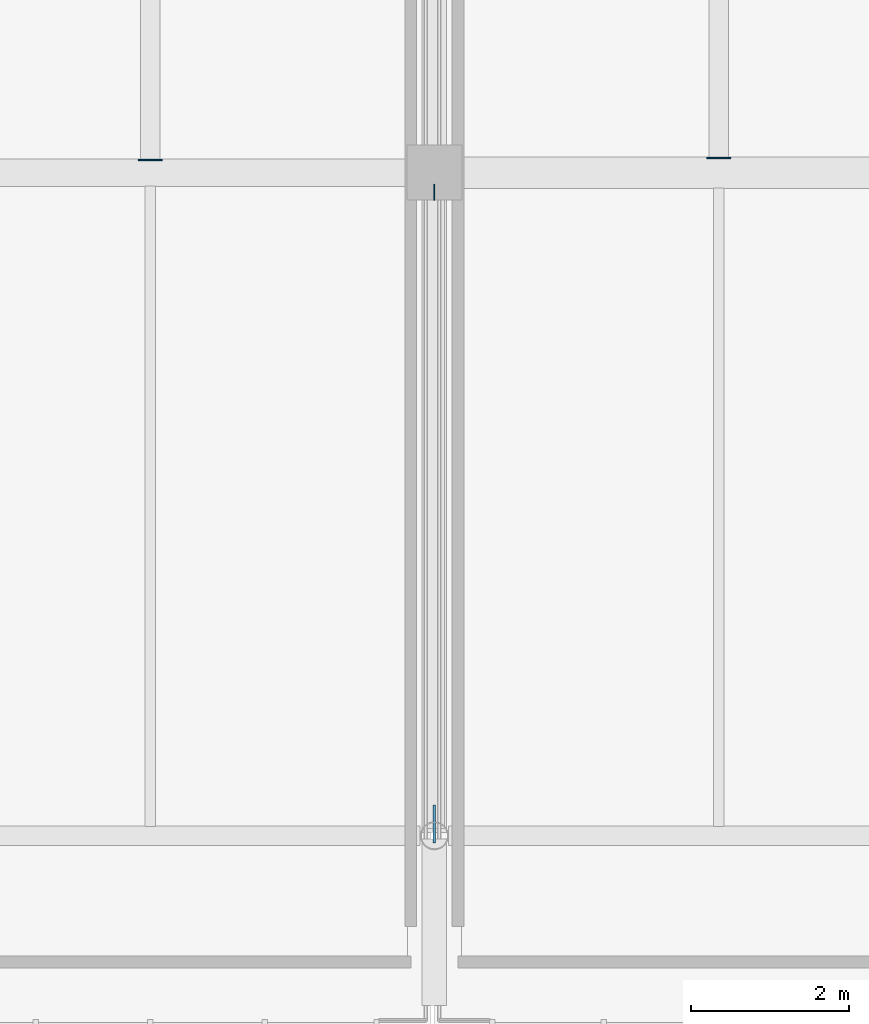
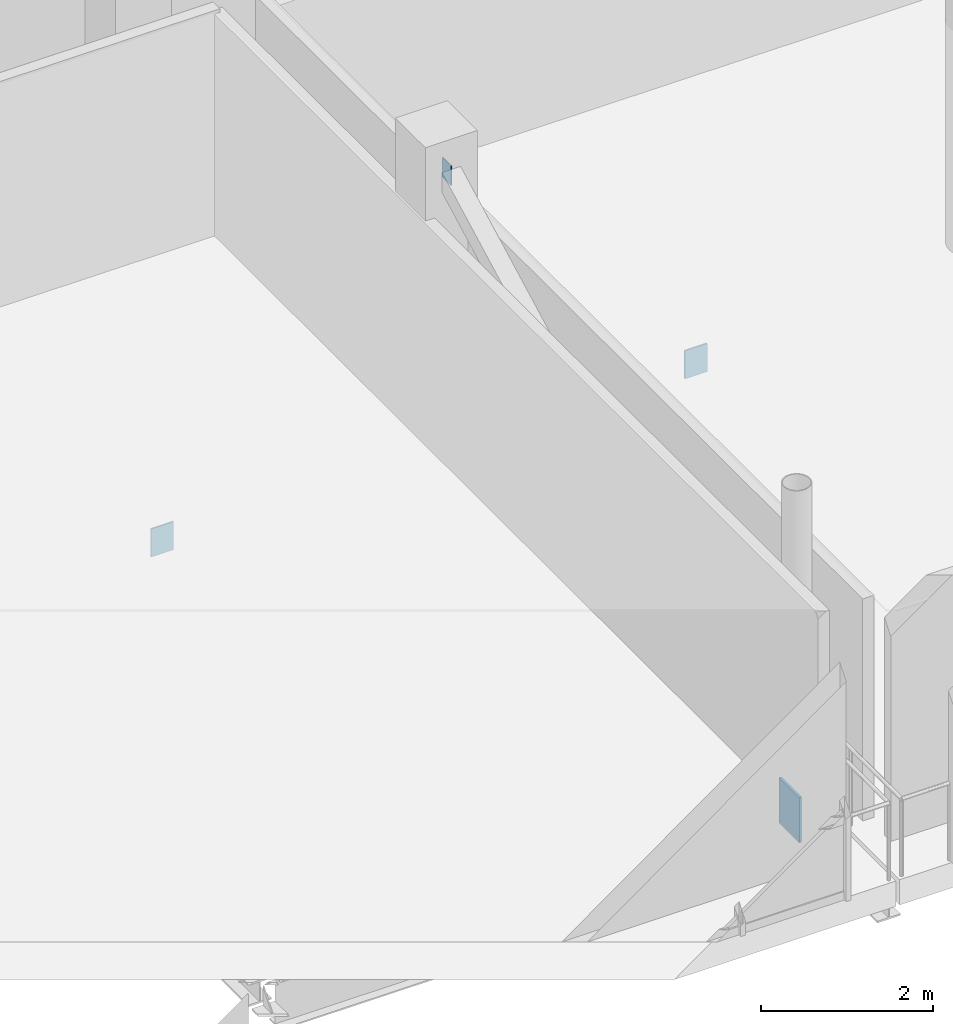
# One storey, part 60 of 90: 4 plates.
"""IFC4 building model written with IfcOpenShell, lengths in metres."""

from ifc_helpers import new_model, si_unit, direction, frame, origin, origin_2d, place, context, subcontext, project, spatial, rectangle, extrude, material, layer, layer_set, type_object, element, save


model = new_model("IFC4")

# Units and contexts
model_context = context("Model", 3, precision=1e-05, world=origin(), true_north=direction((0.0, 1.0)))
body_context = subcontext(model_context, "Body", "Model", "MODEL_VIEW")
ifc_project = project(units=[si_unit("LENGTHUNIT", "METRE"), si_unit("AREAUNIT", "SQUARE_METRE"), si_unit("VOLUMEUNIT", "CUBIC_METRE"), si_unit("PLANEANGLEUNIT", "RADIAN"), si_unit("MASSUNIT", "GRAM", prefix="KILO")], contexts=[model_context])

# Site, building, storey
site_placement = place(None, origin())
site = spatial("IfcSite", under=ifc_project, at=site_placement, CompositionType="ELEMENT")
building_placement = place(site_placement, origin())
building = spatial("IfcBuilding", under=site, at=building_placement, Name="Solanera Park Tramway Depot", CompositionType="ELEMENT")
storey_placement = place(building_placement, frame((0.0, 0.0, 9.0)))
storey = spatial("IfcBuildingStorey", under=building, at=storey_placement, Name="L02", CompositionType="ELEMENT", Elevation=9.0)

# Plates
ifc_material_1 = material(Name="Steel AS/NZS 3679.1 Grade 350", Category="steel")
ifc_layer_1 = layer(ifc_material_1, 0.013916015625)
ifc_layer_set_1 = layer_set([ifc_layer_1], Name="Steel AS/NZS 3679.1 Grade 350")
plate_type_1 = type_object("IfcPlateType", Name="Hollow End Cap and Base Plate 280x200x14", PredefinedType="USERDEFINED", material=ifc_layer_set_1)
plate_1_placement = place(storey_placement, frame((151.199951171875, 10.550048828125, 3.5400390625), z_axis=(0.0, 0.0, 1.0), x_axis=(1.0, 0.0, 0.0)))
element("IfcPlate", 1, at=plate_1_placement, inside=storey, type_object=plate_type_1, Name="Hollow Section End Cap Plate #0008", ObjectType="BASE PLATE", PredefinedType="USERDEFINED", context=body_context, shape_type="SweptSolid", body=[
    extrude(rectangle(XDim=0.013916015625, YDim=0.199951171875, at=origin_2d()), origin(), (0.0, 0.0, 1.0), 0.280029296875),
])
ifc_material_2 = material(Name="Steel AS/NZS 3679.1 Grade 350", Category="steel")
ifc_layer_2 = layer(ifc_material_2, 0.02001953125)
ifc_layer_set_2 = layer_set([ifc_layer_2], Name="Steel AS/NZS 3679.1 Grade 350")
plate_type_2 = type_object("IfcPlateType", Name="Hollow End Cap and Base Plate 400x300x20", PredefinedType="USERDEFINED", material=ifc_layer_set_2)
for number, where, z_axis, x_axis, name in (
    (2, (147.60009765625, 10.9609375, -0.739013671875), (0.0, 0.0, 1.0), (0.0, 1.0, 0.0), "Hollow Section Welded End Cap Plate #0036"),
    (3, (154.800048828125, 10.986083984375, -0.739013671875), (0.0, 0.0, 1.0), (0.0, 1.0, 0.0), "Hollow Section Welded End Cap Plate #0038"),
):
    element("IfcPlate", number, at=place(storey_placement, frame(where, z_axis=z_axis, x_axis=x_axis)), inside=storey, type_object=plate_type_2, Name=name, ObjectType="BASE PLATE", PredefinedType="USERDEFINED", context=body_context, shape_type="SweptSolid", body=[
        extrude(rectangle(XDim=0.02001953125, YDim=0.300048828125, at=origin_2d()), origin(), (0.0, 0.0, 1.0), 0.39990234375),
    ])
ifc_material_3 = material(Name="Steel AS/NZS 3679.1 Grade 350", Category="steel")
ifc_layer_3 = layer(ifc_material_3, 0.031982421875)
ifc_layer_set_3 = layer_set([ifc_layer_3], Name="Steel AS/NZS 3679.1 Grade 350")
plate_type_3 = type_object("IfcPlateType", Name="Hollow End Cap and Base Plate 640x480x32", PredefinedType="USERDEFINED", material=ifc_layer_set_3)
plate_2_placement = place(storey_placement, frame((151.199951171875, 2.550048828125, -0.8701171875), z_axis=(0.0, 0.0, 1.0), x_axis=(1.0, 0.0, 0.0)))
element("IfcPlate", 4, at=plate_2_placement, inside=storey, type_object=plate_type_3, Name="Hollow Section End Cap Plate #0007", ObjectType="BASE PLATE", PredefinedType="USERDEFINED", context=body_context, shape_type="SweptSolid", body=[
    extrude(rectangle(XDim=0.031982421875, YDim=0.47998046875, at=origin_2d()), origin(), (0.0, 0.0, 1.0), 0.639892578125),
])

save(model, "model.ifc")
